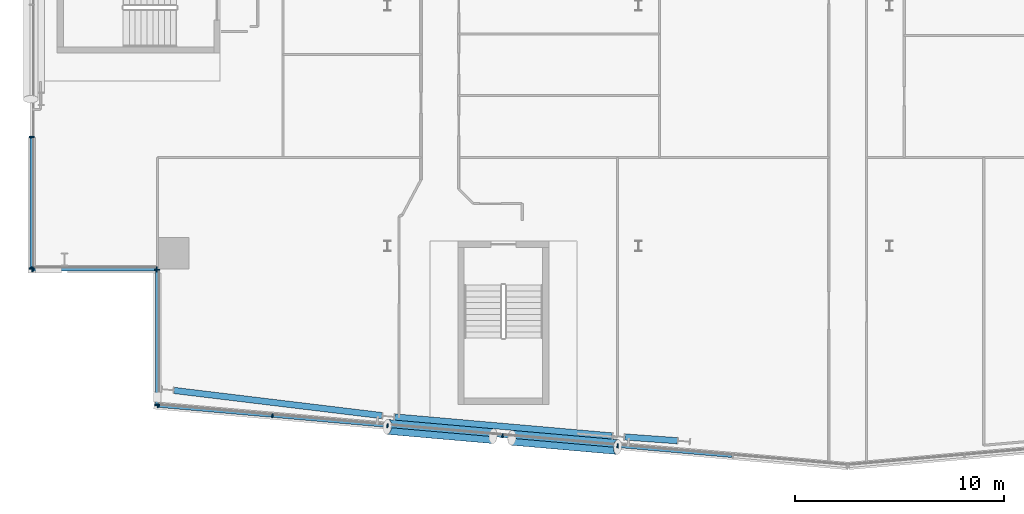
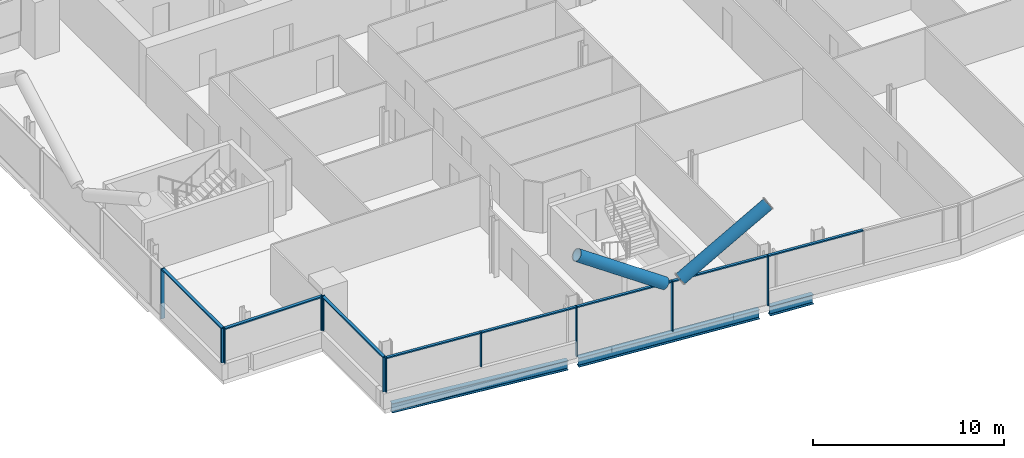
# One storey, part 6 of 26: 21 members, 3 beams, 4 elements without a shape of their own.
"""IFC4 building model written with IfcOpenShell, lengths in metres."""

from ifc_helpers import new_model, si_unit, direction, frame, origin, origin_2d, place, context, subcontext, project, spatial, rectangle, hollow_circle, i_section, extrude, material, material_profile, profile_set, type_object, element, aggregate, save


model = new_model("IFC4")

# Units and contexts
model_context = context("Model", 3, precision=1e-05, world=origin(), true_north=direction((0.0, 1.0)))
body_context = subcontext(model_context, "Body", "Model", "MODEL_VIEW")
ifc_project = project(units=[si_unit("LENGTHUNIT", "METRE"), si_unit("AREAUNIT", "SQUARE_METRE"), si_unit("VOLUMEUNIT", "CUBIC_METRE"), si_unit("PLANEANGLEUNIT", "RADIAN"), si_unit("MASSUNIT", "GRAM", prefix="KILO")], contexts=[model_context])

# Site, building, storey
site_placement = place(None, origin())
site = spatial("IfcSite", under=ifc_project, at=site_placement, CompositionType="ELEMENT")
building_placement = place(site_placement, origin())
building = spatial("IfcBuilding", under=site, at=building_placement, Name="Wharfspan Tower", CompositionType="ELEMENT")
storey_placement = place(building_placement, frame((0.0, 0.0, 166.300049)))
storey = spatial("IfcBuildingStorey", under=building, at=storey_placement, Name="L40", CompositionType="ELEMENT", Elevation=166.300049)

# Beams
ifc_material_1 = material(Name="Steel S355J2", Category="steel")
ifc_material_profile_1 = material_profile(ifc_material_1, i_section(OverallWidth=0.300049, OverallDepth=0.600098, WebThickness=0.015381, FlangeThickness=0.030029, FilletRadius=0.0271, at=origin_2d()))
ifc_profile_set_1 = profile_set([ifc_material_profile_1], Name="Steel S355J2")
beam_type = type_object("IfcBeamType", Name="Edge beam HEB 600", PredefinedType="SPANDREL", material=ifc_profile_set_1)
beam_1_placement = place(storey_placement, frame((13.794678, 4.600586, -0.699951), z_axis=(0.992758, -0.12013, 0.0), x_axis=(0.12013, 0.992758, 0.0)))
element("IfcBeam", 1, at=beam_1_placement, inside=storey, type_object=beam_type, Name="Edge beam S1 L40 PS1.1 to PS1.2", PredefinedType="SPANDREL", context=body_context, shape_type="SweptSolid", body=[
    extrude(i_section(OverallWidth=0.300049, OverallDepth=0.600098, WebThickness=0.015381, FlangeThickness=0.030029, FilletRadius=0.0271, at=origin_2d()), origin(), (0.0, 0.0, 1.0), 10.013184),
])
beam_2_placement = place(storey_placement, frame((24.343994, 3.334229, -0.699951), z_axis=(0.996196, -0.087146, 0.0), x_axis=(0.087146, 0.996196, 0.0)))
element("IfcBeam", 2, at=beam_2_placement, inside=storey, type_object=beam_type, Name="Edge beam S1 L40 PS1.2 to PS1.3", PredefinedType="SPANDREL", context=body_context, shape_type="SweptSolid", body=[
    extrude(i_section(OverallWidth=0.300049, OverallDepth=0.600098, WebThickness=0.015381, FlangeThickness=0.030029, FilletRadius=0.0271, at=origin_2d()), origin(), (0.0, 0.0, 1.0), 10.430176),
])
beam_3_placement = place(storey_placement, frame((35.344482, 2.376709, -0.699951), z_axis=(0.997423, -0.07175, 0.0), x_axis=(0.07175, 0.997423, 0.0)))
element("IfcBeam", 3, at=beam_3_placement, inside=storey, type_object=beam_type, Name="Edge beam S1 L40 PS1.3 to PS1.4", PredefinedType="SPANDREL", context=body_context, shape_type="SweptSolid", body=[
    extrude(i_section(OverallWidth=0.300049, OverallDepth=0.600098, WebThickness=0.015381, FlangeThickness=0.030029, FilletRadius=0.0271, at=origin_2d()), origin(), (0.0, 0.0, 1.0), 2.518066),
])

# Curtain wall, members
ifc_material_2 = material(Name="Aluminium 6063-T6", Category="aluminium")
curtain_wall_type_1 = type_object("IfcCurtainWallType", Name="CURTAIN WALL FACETED FRONT", PredefinedType="NOTDEFINED", material=ifc_material_2)
curtain_wall_1_placement = place(storey_placement, origin())
curtain_wall_1 = element("IfcCurtainWall", 4, at=curtain_wall_1_placement, inside=storey, type_object=curtain_wall_type_1, Name="Curtain wall S1", PredefinedType="NOTDEFINED")
ifc_material_profile_2 = material_profile(ifc_material_2, rectangle(XDim=0.199951, YDim=0.060059, at=origin_2d()))
ifc_profile_set_2 = profile_set([ifc_material_profile_2], Name="Aluminium 6063-T6")
member_type_1 = type_object("IfcMemberType", Name="MULLION FACETED FRONT 60x200", PredefinedType="MULLION", material=ifc_profile_set_2)
member_1_placement = place(storey_placement, frame((13.029785, 3.872559, 1.0), z_axis=(0.0, 0.0, 1.0), x_axis=(0.087156, 0.996198, 0.0)))
member_1 = element("IfcMember", 5, at=member_1_placement, type_object=member_type_1, Name="Curtain wall S1 mullion 1", PredefinedType="MULLION", context=body_context, shape_type="SweptSolid", body=[
    extrude(rectangle(XDim=0.199951, YDim=0.060059, at=origin_2d()), origin(), (0.0, 0.0, 1.0), 2.199951),
])
member_2_placement = place(storey_placement, frame((18.5, 3.393799, 1.0), z_axis=(0.0, 0.0, 1.0), x_axis=(0.087156, 0.996198, 0.0)))
member_2 = element("IfcMember", 6, at=member_2_placement, type_object=member_type_1, Name="Curtain wall S1 mullion 2", PredefinedType="MULLION", context=body_context, shape_type="SweptSolid", body=[
    extrude(rectangle(XDim=0.199951, YDim=0.060059, at=origin_2d()), origin(), (0.0, 0.0, 1.0), 2.199951),
])
member_3_placement = place(storey_placement, frame((24.0, 2.912598, 0.0), z_axis=(0.0, 0.0, 1.0), x_axis=(0.087156, 0.996198, 0.0)))
member_3 = element("IfcMember", 7, at=member_3_placement, type_object=member_type_1, Name="Curtain wall S1 mullion 3", PredefinedType="MULLION", context=body_context, shape_type="SweptSolid", body=[
    extrude(rectangle(XDim=0.199951, YDim=0.060059, at=origin_2d()), origin(), (0.0, 0.0, 1.0), 3.199951),
])
member_4_placement = place(storey_placement, frame((29.5, 2.431396, 0.0), z_axis=(0.0, 0.0, 1.0), x_axis=(0.087156, 0.996198, 0.0)))
member_4 = element("IfcMember", 8, at=member_4_placement, type_object=member_type_1, Name="Curtain wall S1 mullion 4", PredefinedType="MULLION", context=body_context, shape_type="SweptSolid", body=[
    extrude(rectangle(XDim=0.199951, YDim=0.060059, at=origin_2d()), origin(), (0.0, 0.0, 1.0), 3.199951),
])
member_5_placement = place(storey_placement, frame((35.0, 1.950195, 0.0), z_axis=(0.0, 0.0, 1.0), x_axis=(0.087156, 0.996198, 0.0)))
member_5 = element("IfcMember", 9, at=member_5_placement, type_object=member_type_1, Name="Curtain wall S1 mullion 5", PredefinedType="MULLION", context=body_context, shape_type="SweptSolid", body=[
    extrude(rectangle(XDim=0.199951, YDim=0.060059, at=origin_2d()), origin(), (0.0, 0.0, 1.0), 3.199951),
])

curtain_wall_type_2 = type_object("IfcCurtainWallType", Name="CURTAIN WALL PROW AND END", PredefinedType="NOTDEFINED", material=ifc_material_2)
curtain_wall_2_placement = place(storey_placement, origin())
curtain_wall_2 = element("IfcCurtainWall", 10, at=curtain_wall_2_placement, inside=storey, type_object=curtain_wall_type_2, Name="Curtain wall W", PredefinedType="NOTDEFINED")
ifc_material_profile_3 = material_profile(ifc_material_2, rectangle(XDim=0.23999, YDim=0.060059, at=origin_2d()))
ifc_profile_set_3 = profile_set([ifc_material_profile_3], Name="Aluminium 6063-T6")
member_type_2 = type_object("IfcMemberType", Name="MULLION PROW AND END 60x240", PredefinedType="MULLION", material=ifc_profile_set_3)
member_6_placement = place(storey_placement, frame((7.0, 16.719971, 0.0), z_axis=(0.0, 0.0, 1.0), x_axis=(1.0, 0.0, 0.0)))
member_6 = element("IfcMember", 11, at=member_6_placement, type_object=member_type_2, Name="Curtain wall W mullion 5", PredefinedType="MULLION", context=body_context, shape_type="SweptSolid", body=[
    extrude(rectangle(XDim=0.23999, YDim=0.060059, at=origin_2d()), origin(), (0.0, 0.0, 1.0), 3.199951),
])
member_7_placement = place(storey_placement, frame((7.0, 10.429932, 1.0), z_axis=(0.0, 0.0, 1.0), x_axis=(1.0, 0.0, 0.0)))
member_7 = element("IfcMember", 12, at=member_7_placement, type_object=member_type_2, Name="Curtain wall W mullion 6", PredefinedType="MULLION", context=body_context, shape_type="SweptSolid", body=[
    extrude(rectangle(XDim=0.23999, YDim=0.060059, at=origin_2d()), origin(), (0.0, 0.0, 1.0), 2.199951),
])

curtain_wall_3_placement = place(storey_placement, origin())
curtain_wall_3 = element("IfcCurtainWall", 13, at=curtain_wall_3_placement, inside=storey, type_object=curtain_wall_type_2, Name="Curtain wall NFW-H", PredefinedType="NOTDEFINED")
member_8_placement = place(storey_placement, frame((7.030029, 10.399902, 1.0), z_axis=(0.0, 0.0, 1.0), x_axis=(0.0, 1.0, 0.0)))
member_8 = element("IfcMember", 14, at=member_8_placement, type_object=member_type_2, Name="Curtain wall NFW-H mullion 1", PredefinedType="MULLION", context=body_context, shape_type="SweptSolid", body=[
    extrude(rectangle(XDim=0.23999, YDim=0.060059, at=origin_2d()), origin(), (0.0, 0.0, 1.0), 2.199951),
])
member_9_placement = place(storey_placement, frame((12.969971, 10.399902, 1.0), z_axis=(0.0, 0.0, 1.0), x_axis=(0.0, 1.0, 0.0)))
member_9 = element("IfcMember", 15, at=member_9_placement, type_object=member_type_2, Name="Curtain wall NFW-H mullion 2", PredefinedType="MULLION", context=body_context, shape_type="SweptSolid", body=[
    extrude(rectangle(XDim=0.23999, YDim=0.060059, at=origin_2d()), origin(), (0.0, 0.0, 1.0), 2.199951),
])

curtain_wall_4_placement = place(storey_placement, origin())
curtain_wall_4 = element("IfcCurtainWall", 16, at=curtain_wall_4_placement, inside=storey, type_object=curtain_wall_type_2, Name="Curtain wall NFW-V", PredefinedType="NOTDEFINED")
member_10_placement = place(storey_placement, frame((13.0, 10.370117, 1.0), z_axis=(0.0, 0.0, 1.0), x_axis=(1.0, 0.0, 0.0)))
member_10 = element("IfcMember", 17, at=member_10_placement, type_object=member_type_2, Name="Curtain wall NFW-V mullion 1", PredefinedType="MULLION", context=body_context, shape_type="SweptSolid", body=[
    extrude(rectangle(XDim=0.23999, YDim=0.060059, at=origin_2d()), origin(), (0.0, 0.0, 1.0), 2.199951),
])
member_11_placement = place(storey_placement, frame((13.0, 3.905029, 1.0), z_axis=(0.0, 0.0, 1.0), x_axis=(1.0, 0.0, 0.0)))
member_11 = element("IfcMember", 18, at=member_11_placement, type_object=member_type_2, Name="Curtain wall NFW-V mullion 2", PredefinedType="MULLION", context=body_context, shape_type="SweptSolid", body=[
    extrude(rectangle(XDim=0.23999, YDim=0.060059, at=origin_2d()), origin(), (0.0, 0.0, 1.0), 2.199951),
])

# Members
ifc_material_3 = material(Name="Steel S460NH", Category="steel")
ifc_material_profile_4 = material_profile(ifc_material_3, hollow_circle(Radius=0.355469, WallThickness=0.035889, at=origin_2d()))
ifc_profile_set_4 = profile_set([ifc_material_profile_4], Name="Steel S460NH")
member_type_3 = type_object("IfcMemberType", Name="Mega brace CHS 711x36", PredefinedType="BRACE", material=ifc_profile_set_4)
for number, where, z_axis, x_axis, name in (
    (19, (29.947021, 2.337158, 3.195801), (0.834469, -0.073006, 0.546197), (0.087156, 0.996198, -1e-06), "Mega brace S1 L40 part 2"),
    (20, (29.043213, 2.41626, 3.195801), (-0.834469, 0.073006, 0.546197), (-0.087156, -0.996198, -1e-06), "Mega brace S1 L40 part 4"),
):
    element("IfcMember", number, at=place(storey_placement, frame(where, z_axis=z_axis, x_axis=x_axis)), inside=storey, type_object=member_type_3, Name=name, PredefinedType="BRACE", context=body_context, shape_type="SweptSolid", body=[
        extrude(hollow_circle(Radius=0.355469, WallThickness=0.035889, at=origin_2d()), origin(), (0.0, 0.0, 1.0), 6.049561),
    ])

# Member
ifc_material_profile_5 = material_profile(ifc_material_2, rectangle(XDim=0.159912, YDim=0.080078, at=origin_2d()))
ifc_profile_set_5 = profile_set([ifc_material_profile_5], Name="Aluminium 6063-T6")
member_type_4 = type_object("IfcMemberType", Name="TRANSOM FACETED FRONT 80x160", PredefinedType="USERDEFINED", material=ifc_profile_set_5)
member_12_placement = place(storey_placement, frame((13.059814, 3.869873, 3.159912), z_axis=(0.996194, -0.087163, 0.0), x_axis=(0.087163, 0.996194, 0.0)))
member_12 = element("IfcMember", 21, at=member_12_placement, type_object=member_type_4, Name="Curtain wall S1 transom 1", ObjectType="TRANSOM", PredefinedType="USERDEFINED", context=body_context, shape_type="SweptSolid", body=[
    extrude(rectangle(XDim=0.159912, YDim=0.080078, at=origin_2d()), origin(), (0.0, 0.0, 1.0), 5.431152),
])

member_13_placement = place(storey_placement, frame((18.529785, 3.391357, 3.159912), z_axis=(0.996193, -0.087174, 0.0), x_axis=(0.087174, 0.996193, 0.0)))
member_13 = element("IfcMember", 22, at=member_13_placement, type_object=member_type_4, Name="Curtain wall S1 transom 2", ObjectType="TRANSOM", PredefinedType="USERDEFINED", context=body_context, shape_type="SweptSolid", body=[
    extrude(rectangle(XDim=0.159912, YDim=0.080078, at=origin_2d()), origin(), (0.0, 0.0, 1.0), 5.461182),
])

member_14_placement = place(storey_placement, frame((24.029785, 2.910156, 3.159912), z_axis=(0.996193, -0.087174, 0.0), x_axis=(0.087174, 0.996193, 0.0)))
member_14 = element("IfcMember", 23, at=member_14_placement, type_object=member_type_4, Name="Curtain wall S1 transom 3", ObjectType="TRANSOM", PredefinedType="USERDEFINED", context=body_context, shape_type="SweptSolid", body=[
    extrude(rectangle(XDim=0.159912, YDim=0.080078, at=origin_2d()), origin(), (0.0, 0.0, 1.0), 5.461182),
])

member_15_placement = place(storey_placement, frame((29.529785, 2.428955, 3.159912), z_axis=(0.996193, -0.087174, 0.0), x_axis=(0.087174, 0.996193, 0.0)))
member_15 = element("IfcMember", 24, at=member_15_placement, type_object=member_type_4, Name="Curtain wall S1 transom 4", ObjectType="TRANSOM", PredefinedType="USERDEFINED", context=body_context, shape_type="SweptSolid", body=[
    extrude(rectangle(XDim=0.159912, YDim=0.080078, at=origin_2d()), origin(), (0.0, 0.0, 1.0), 5.461182),
])

member_16_placement = place(storey_placement, frame((35.029785, 1.947754, 3.159912), z_axis=(0.996193, -0.087174, 0.0), x_axis=(0.087174, 0.996193, 0.0)))
member_16 = element("IfcMember", 25, at=member_16_placement, type_object=member_type_4, Name="Curtain wall S1 transom 5", ObjectType="TRANSOM", PredefinedType="USERDEFINED", context=body_context, shape_type="SweptSolid", body=[
    extrude(rectangle(XDim=0.159912, YDim=0.080078, at=origin_2d()), origin(), (0.0, 0.0, 1.0), 5.461182),
])

aggregate(curtain_wall_1, [member_1, member_2, member_3, member_4, member_5, member_12, member_13, member_14, member_15, member_16])

ifc_material_profile_6 = material_profile(ifc_material_2, rectangle(XDim=0.179932, YDim=0.080078, at=origin_2d()))
ifc_profile_set_6 = profile_set([ifc_material_profile_6], Name="Aluminium 6063-T6")
member_type_5 = type_object("IfcMemberType", Name="TRANSOM PROW AND END 80x180", PredefinedType="USERDEFINED", material=ifc_profile_set_6)
member_17_placement = place(storey_placement, frame((7.0, 16.689941, 3.159912), z_axis=(0.0, -1.0, 0.0), x_axis=(1.0, 0.0, 0.0)))
member_17 = element("IfcMember", 26, at=member_17_placement, type_object=member_type_5, Name="Curtain wall W transom 5", ObjectType="TRANSOM", PredefinedType="USERDEFINED", context=body_context, shape_type="SweptSolid", body=[
    extrude(rectangle(XDim=0.179932, YDim=0.080078, at=origin_2d()), origin(), (0.0, 0.0, 1.0), 6.22998),
])

aggregate(curtain_wall_2, [member_6, member_7, member_17])

member_18_placement = place(storey_placement, frame((7.060059, 10.399902, 3.159912), z_axis=(1.0, 0.0, 0.0), x_axis=(0.0, 1.0, 0.0)))
member_18 = element("IfcMember", 27, at=member_18_placement, type_object=member_type_5, Name="Curtain wall NFW-H transom 1", ObjectType="TRANSOM", PredefinedType="USERDEFINED", context=body_context, shape_type="SweptSolid", body=[
    extrude(rectangle(XDim=0.179932, YDim=0.080078, at=origin_2d()), origin(), (0.0, 0.0, 1.0), 5.879883),
])

aggregate(curtain_wall_3, [member_8, member_9, member_18])

member_19_placement = place(storey_placement, frame((13.0, 10.340088, 3.159912), z_axis=(0.0, -1.0, 0.0), x_axis=(1.0, 0.0, 0.0)))
member_19 = element("IfcMember", 28, at=member_19_placement, type_object=member_type_5, Name="Curtain wall NFW-V transom 1", ObjectType="TRANSOM", PredefinedType="USERDEFINED", context=body_context, shape_type="SweptSolid", body=[
    extrude(rectangle(XDim=0.179932, YDim=0.080078, at=origin_2d()), origin(), (0.0, 0.0, 1.0), 6.405029),
])

aggregate(curtain_wall_4, [member_10, member_11, member_19])

save(model, "model.ifc")
